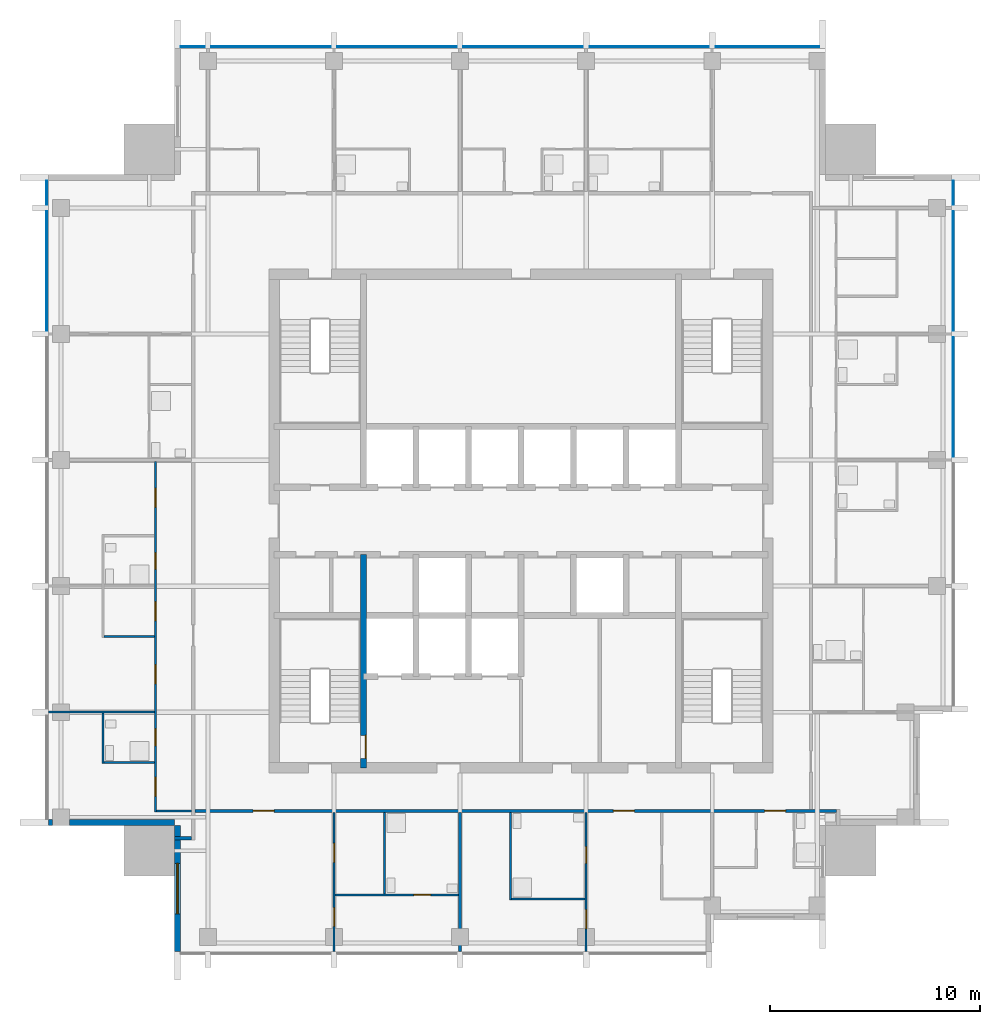
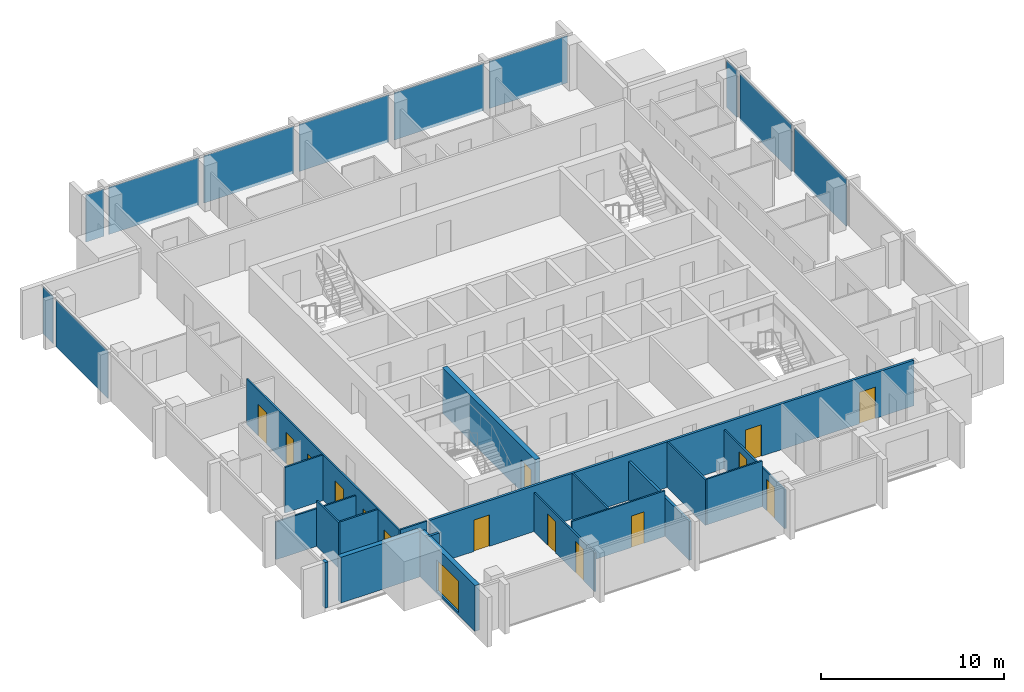
# One storey, part 3 of 9: 19 walls, 15 doors, 11 plates, 1 window, 16 openings, 3 elements without a shape of their own.
"""IFC4 building model written with IfcOpenShell, lengths in metres."""

from ifc_helpers import new_model, si_unit, direction, frame, frame_2d, origin, origin_2d, place, context, subcontext, project, spatial, rectangle, extrude, material, layer, layer_set, type_object, element, fill, aggregate, save


model = new_model("IFC4")

# Units and contexts
model_context = context("Model", 3, precision=1e-05, world=origin(), true_north=direction((0.0, 1.0)))
body_context = subcontext(model_context, "Body", "Model", "MODEL_VIEW")
ifc_project = project(units=[si_unit("LENGTHUNIT", "METRE"), si_unit("AREAUNIT", "SQUARE_METRE"), si_unit("VOLUMEUNIT", "CUBIC_METRE"), si_unit("PLANEANGLEUNIT", "RADIAN"), si_unit("MASSUNIT", "GRAM", prefix="KILO")], contexts=[model_context])

# Site, building, storey
site_placement = place(None, origin())
site = spatial("IfcSite", under=ifc_project, at=site_placement, CompositionType="ELEMENT")
building_placement = place(site_placement, origin())
building = spatial("IfcBuilding", under=site, at=building_placement, Name="Amberfall Residences", CompositionType="ELEMENT")
storey_placement = place(building_placement, frame((0.0, 0.0, 262.0)))
storey = spatial("IfcBuildingStorey", under=building, at=storey_placement, Name="L70", CompositionType="ELEMENT", Elevation=262.0)

# Curtain wall, plates
ifc_material_1 = material(Name="Bronze anodised aluminium and glass", Category="aluminium")
curtain_wall_type = type_object("IfcCurtainWallType", Name="Curtain wall CW1 tower unit", PredefinedType="USERDEFINED", material=ifc_material_1)
curtain_wall_1_placement = place(storey_placement, origin())
curtain_wall_1 = element("IfcCurtainWall", 1, at=curtain_wall_1_placement, inside=storey, type_object=curtain_wall_type, Name="Curtain wall L70 E E3", ObjectType="UNITISED CURTAIN WALL", PredefinedType="USERDEFINED")
ifc_material_2 = material(Name="Tinted double glazed unit", Category="glass")
ifc_layer_1 = layer(ifc_material_2, 0.035888671875)
ifc_layer_set_1 = layer_set([ifc_layer_1], Name="CW1 panel 36 glazing")
plate_type = type_object("IfcPlateType", Name="CW1 panel 36 glazing", PredefinedType="CURTAIN_PANEL", material=ifc_layer_set_1)
plate_1_placement = place(storey_placement, frame((95.074951171875, 51.39990234375, -0.25), z_axis=(0.0, 0.0, 1.0), x_axis=(0.0, 1.0, 0.0)))
plate_1 = element("IfcPlate", 2, at=plate_1_placement, type_object=plate_type, Name="CW1 panel 3.1", PredefinedType="CURTAIN_PANEL", context=body_context, shape_type="SweptSolid", body=[
    extrude(rectangle(XDim=5.676025390625, YDim=0.035888671875, at=origin_2d()), origin(), (0.0, 0.0, 1.0), 3.14990234375),
])
plate_2_placement = place(storey_placement, frame((95.074951171875, 57.39990234375, -0.25), z_axis=(0.0, 0.0, 1.0), x_axis=(0.0, 1.0, 0.0)))
plate_2 = element("IfcPlate", 3, at=plate_2_placement, type_object=plate_type, Name="CW1 panel 4.1", PredefinedType="CURTAIN_PANEL", context=body_context, shape_type="SweptSolid", body=[
    extrude(rectangle(XDim=5.676025390625, YDim=0.035888671875, at=origin_2d()), origin(), (0.0, 0.0, 1.0), 3.14990234375),
])
plate_3_placement = place(storey_placement, frame((95.074951171875, 61.125, -0.25), z_axis=(0.0, 0.0, 1.0), x_axis=(0.0, 1.0, 0.0)))
plate_3 = element("IfcPlate", 4, at=plate_3_placement, type_object=plate_type, Name="CW1 panel 5.1", PredefinedType="CURTAIN_PANEL", context=body_context, shape_type="SweptSolid", body=[
    extrude(rectangle(XDim=1.1259765625, YDim=0.035888671875, at=origin_2d()), origin(), (0.0, 0.0, 1.0), 3.14990234375),
])
aggregate(curtain_wall_1, [plate_1, plate_2, plate_3])

curtain_wall_2_placement = place(storey_placement, origin())
curtain_wall_2 = element("IfcCurtainWall", 5, at=curtain_wall_2_placement, inside=storey, type_object=curtain_wall_type, Name="Curtain wall L70 N N1", ObjectType="UNITISED CURTAIN WALL", PredefinedType="USERDEFINED")
plate_4_placement = place(storey_placement, frame((86.22509765625, 68.074951171875, -0.25), z_axis=(0.0, 0.0, 1.0), x_axis=(-1.0, 0.0, 0.0)))
plate_4 = element("IfcPlate", 6, at=plate_4_placement, type_object=plate_type, Name="CW1 panel 1.1", PredefinedType="CURTAIN_PANEL", context=body_context, shape_type="SweptSolid", body=[
    extrude(rectangle(XDim=4.926025390625, YDim=0.035888671875, at=origin_2d()), origin(), (0.0, 0.0, 1.0), 3.14990234375),
])
plate_5_placement = place(storey_placement, frame((80.60009765625, 68.074951171875, -0.25), z_axis=(0.0, 0.0, 1.0), x_axis=(-1.0, 0.0, 0.0)))
plate_5 = element("IfcPlate", 7, at=plate_5_placement, type_object=plate_type, Name="CW1 panel 2.1", PredefinedType="CURTAIN_PANEL", context=body_context, shape_type="SweptSolid", body=[
    extrude(rectangle(XDim=5.676025390625, YDim=0.035888671875, at=origin_2d()), origin(), (0.0, 0.0, 1.0), 3.14990234375),
])
plate_6_placement = place(storey_placement, frame((74.60009765625, 68.074951171875, -0.25), z_axis=(0.0, 0.0, 1.0), x_axis=(-1.0, 0.0, 0.0)))
plate_6 = element("IfcPlate", 8, at=plate_6_placement, type_object=plate_type, Name="CW1 panel 3.1", PredefinedType="CURTAIN_PANEL", context=body_context, shape_type="SweptSolid", body=[
    extrude(rectangle(XDim=5.676025390625, YDim=0.035888671875, at=origin_2d()), origin(), (0.0, 0.0, 1.0), 3.14990234375),
])
plate_7_placement = place(storey_placement, frame((68.60009765625, 68.074951171875, -0.25), z_axis=(0.0, 0.0, 1.0), x_axis=(-1.0, 0.0, 0.0)))
plate_7 = element("IfcPlate", 9, at=plate_7_placement, type_object=plate_type, Name="CW1 panel 4.1", PredefinedType="CURTAIN_PANEL", context=body_context, shape_type="SweptSolid", body=[
    extrude(rectangle(XDim=5.676025390625, YDim=0.035888671875, at=origin_2d()), origin(), (0.0, 0.0, 1.0), 3.14990234375),
])
plate_8_placement = place(storey_placement, frame((62.60009765625, 68.074951171875, -0.25), z_axis=(0.0, 0.0, 1.0), x_axis=(-1.0, 0.0, 0.0)))
plate_8 = element("IfcPlate", 10, at=plate_8_placement, type_object=plate_type, Name="CW1 panel 5.1", PredefinedType="CURTAIN_PANEL", context=body_context, shape_type="SweptSolid", body=[
    extrude(rectangle(XDim=5.676025390625, YDim=0.035888671875, at=origin_2d()), origin(), (0.0, 0.0, 1.0), 3.14990234375),
])
plate_9_placement = place(storey_placement, frame((58.875, 68.074951171875, -0.25), z_axis=(0.0, 0.0, 1.0), x_axis=(-1.0, 0.0, 0.0)))
plate_9 = element("IfcPlate", 11, at=plate_9_placement, type_object=plate_type, Name="CW1 panel 6.1", PredefinedType="CURTAIN_PANEL", context=body_context, shape_type="SweptSolid", body=[
    extrude(rectangle(XDim=1.1259765625, YDim=0.035888671875, at=origin_2d()), origin(), (0.0, 0.0, 1.0), 3.14990234375),
])
aggregate(curtain_wall_2, [plate_4, plate_5, plate_6, plate_7, plate_8, plate_9])

curtain_wall_3_placement = place(storey_placement, origin())
curtain_wall_3 = element("IfcCurtainWall", 12, at=curtain_wall_3_placement, inside=storey, type_object=curtain_wall_type, Name="Curtain wall L70 W W1", ObjectType="UNITISED CURTAIN WALL", PredefinedType="USERDEFINED")
plate_10_placement = place(storey_placement, frame((51.925048828125, 61.125, -0.25), z_axis=(0.0, 0.0, 1.0), x_axis=(0.0, -1.0, 0.0)))
plate_10 = element("IfcPlate", 13, at=plate_10_placement, type_object=plate_type, Name="CW1 panel 1.1", PredefinedType="CURTAIN_PANEL", context=body_context, shape_type="SweptSolid", body=[
    extrude(rectangle(XDim=1.1259765625, YDim=0.035888671875, at=origin_2d()), origin(), (0.0, 0.0, 1.0), 3.14990234375),
])
plate_11_placement = place(storey_placement, frame((51.925048828125, 57.39990234375, -0.25), z_axis=(0.0, 0.0, 1.0), x_axis=(0.0, -1.0, 0.0)))
plate_11 = element("IfcPlate", 14, at=plate_11_placement, type_object=plate_type, Name="CW1 panel 2.1", PredefinedType="CURTAIN_PANEL", context=body_context, shape_type="SweptSolid", body=[
    extrude(rectangle(XDim=5.676025390625, YDim=0.035888671875, at=origin_2d()), origin(), (0.0, 0.0, 1.0), 3.14990234375),
])
aggregate(curtain_wall_3, [plate_10, plate_11])

# Walls
ifc_material_3 = material(Name="Pale stone cladding on insulated backing", Category="masonry")
ifc_layer_2 = layer(ifc_material_3, 0.300048828125)
ifc_layer_set_2 = layer_set([ifc_layer_2], Name="Bronze clad wall 300")
wall_type_1 = type_object("IfcWallType", Name="Bronze clad wall 300", PredefinedType="SOLIDWALL", material=ifc_layer_set_2)
wall_1_placement = place(storey_placement, frame((52.0, 31.14990234375, 0.0), z_axis=(0.0, 0.0, 1.0), x_axis=(1.0, 0.0, 0.0)))
element("IfcWall", 15, at=wall_1_placement, inside=storey, type_object=wall_type_1, Name="External wall L70 SW", PredefinedType="SOLIDWALL", context=body_context, shape_type="SweptSolid", body=[
    extrude(rectangle(XDim=0.199951171875, YDim=0.300048828125, at=frame_2d((0.10009765625, 0.0))), origin(), (0.0, 0.0, 1.0), 3.050048828125),
])
wall_2_placement = place(storey_placement, frame((53.0, 31.14990234375, 0.0), z_axis=(0.0, 0.0, 1.0), x_axis=(1.0, 0.0, 0.0)))
element("IfcWall", 16, at=wall_2_placement, inside=storey, type_object=wall_type_1, Name="External wall L70 SW", PredefinedType="SOLIDWALL", context=body_context, shape_type="SweptSolid", body=[
    extrude(rectangle(XDim=5.0, YDim=0.300048828125, at=frame_2d((2.5, 0.0))), origin(), (0.0, 0.0, 1.0), 3.050048828125),
])

# Wall, opening, window
wall_3_placement = place(storey_placement, frame((58.14990234375, 31.0, 0.0), z_axis=(0.0, 0.0, 1.0), x_axis=(0.0, -1.0, 0.0)))
wall_3 = element("IfcWall", 17, at=wall_3_placement, inside=storey, type_object=wall_type_1, Name="External wall L70 SW", PredefinedType="SOLIDWALL", context=body_context, shape_type="SweptSolid", body=[
    extrude(rectangle(XDim=6.0, YDim=0.300048828125, at=frame_2d((3.0, 0.0))), origin(), (0.0, 0.0, 1.0), 3.050048828125),
])
opening_1_placement = place(wall_3_placement, frame((1.800048828125, 0.0, 0.14990234375)))
opening_1 = element("IfcOpeningElement", 18, at=opening_1_placement, cuts=wall_3, Name="Opening WN5", PredefinedType="OPENING", context=body_context, shape_type="SweptSolid", body=[
    extrude(rectangle(XDim=2.39990234375, YDim=2.10009765625, at=frame_2d((1.199951171875, 1.050048828125))), frame((0.0, 0.159912109375, 0.0), z_axis=(0.0, -1.0, 0.0), x_axis=(1.0, 0.0, 0.0)), (0.0, 0.0, 1.0), 0.320068359375),
])
ifc_material_4 = material(Name="Bronze aluminium framed glazing", Category="aluminium")
window_type = type_object("IfcWindowType", Name="Glazed opening 2400 x 2100 bronze", PartitioningType="DOUBLE_PANEL_VERTICAL", PredefinedType="WINDOW", material=ifc_material_4)
window_placement = place(opening_1_placement, origin())
window = element("IfcWindow", 19, at=window_placement, inside=storey, type_object=window_type, Name="Window L70 SW", OverallHeight=2.10009765625, OverallWidth=2.39990234375, PartitioningType="DOUBLE_PANEL_VERTICAL", PredefinedType="WINDOW", context=body_context, shape_type="SweptSolid", body=[
    extrude(rectangle(XDim=2.39990234375, YDim=2.10009765625, at=frame_2d((1.199951171875, 1.050048828125))), frame((0.0, 0.030029296875, 0.0), z_axis=(0.0, -1.0, 0.0), x_axis=(1.0, 0.0, 0.0)), (0.0, 0.0, 1.0), 0.06005859375),
])
fill(opening_1, window)

# Wall, opening, door
ifc_material_5 = material(Name="Concrete C50", Category="concrete")
ifc_layer_3 = layer(ifc_material_5, 0.300048828125)
ifc_layer_set_3 = layer_set([ifc_layer_3], Name="Core wall 300 C50")
wall_type_2 = type_object("IfcWallType", Name="Core wall 300 C50", PredefinedType="SHEAR", material=ifc_layer_set_3)
wall_4_placement = place(storey_placement, frame((67.0, 33.75, 0.0), z_axis=(0.0, 0.0, 1.0), x_axis=(0.0, 1.0, 0.0)))
wall_4 = element("IfcWall", 20, at=wall_4_placement, inside=storey, type_object=wall_type_2, Name="Core wall RW10 L70 V45S", PredefinedType="SHEAR", context=body_context, shape_type="SweptSolid", body=[
    extrude(rectangle(XDim=10.14990234375, YDim=0.300048828125, at=frame_2d((5.074951171875, 0.0))), origin(), (0.0, 0.0, 1.0), 3.050048828125),
])
opening_2_placement = place(wall_4_placement, frame((0.449951171875, 0.0, 0.0)))
opening_2 = element("IfcOpeningElement", 21, at=opening_2_placement, cuts=wall_4, Name="Opening FL1", PredefinedType="OPENING", context=body_context, shape_type="SweptSolid", body=[
    extrude(rectangle(XDim=1.10009765625, YDim=2.10009765625, at=frame_2d((0.550048828125, 1.050048828125))), frame((0.0, 0.159912109375, 0.0), z_axis=(0.0, -1.0, 0.0), x_axis=(1.0, 0.0, 0.0)), (0.0, 0.0, 1.0), 0.320068359375),
])
ifc_material_6 = material(Name="Steel fire door set", Category="steel")
door_type_1 = type_object("IfcDoorType", Name="Firefighting lobby door 1100 x 2100", OperationType="SINGLE_SWING_LEFT", PredefinedType="DOOR", material=ifc_material_6)
door_1_placement = place(opening_2_placement, origin())
door_1 = element("IfcDoor", 22, at=door_1_placement, inside=storey, type_object=door_type_1, Name="FL1 L70", OperationType="SINGLE_SWING_RIGHT", OverallHeight=2.10009765625, OverallWidth=1.10009765625, PredefinedType="DOOR", context=body_context, shape_type="SweptSolid", body=[
    extrude(rectangle(XDim=1.10009765625, YDim=2.10009765625, at=frame_2d((0.550048828125, 1.050048828125))), frame((0.0, -0.08740234375, 0.0), z_axis=(0.0, -1.0, 0.0), x_axis=(1.0, 0.0, 0.0)), (0.0, 0.0, 1.0), 0.050048828125),
])
fill(opening_2, door_1)

# Wall
ifc_material_7 = material(Name="Gypsum board on metal stud")
ifc_layer_4 = layer(ifc_material_7, 0.10009765625)
ifc_layer_set_4 = layer_set([ifc_layer_4], Name="Flat partition 100")
wall_type_3 = type_object("IfcWallType", Name="Flat partition 100", PredefinedType="PARTITIONING", material=ifc_layer_set_4)
wall_5_placement = place(storey_placement, frame((54.60009765625, 33.949951171875, 0.0), z_axis=(0.0, 0.0, 1.0), x_axis=(0.0, 1.0, 0.0)))
element("IfcWall", 23, at=wall_5_placement, inside=storey, type_object=wall_type_3, Name="Partition 001", PredefinedType="PARTITIONING", context=body_context, shape_type="SweptSolid", body=[
    extrude(rectangle(XDim=2.400146484375, YDim=0.10009765625, at=frame_2d((1.2001953125, 0.0))), origin(), (0.0, 0.0, 1.0), 3.050048828125),
])

# Wall, openings, doors
wall_6_placement = place(storey_placement, frame((57.10009765625, 31.64990234375, 0.0), z_axis=(0.0, 0.0, 1.0), x_axis=(0.0, 1.0, 0.0)))
wall_6 = element("IfcWall", 24, at=wall_6_placement, inside=storey, type_object=wall_type_3, Name="Partition 004", PredefinedType="PARTITIONING", context=body_context, shape_type="SweptSolid", body=[
    extrude(rectangle(XDim=16.675048828125, YDim=0.10009765625, at=frame_2d((8.33740234375, 0.0))), origin(), (0.0, 0.0, 1.0), 3.050048828125),
])
opening_3_placement = place(wall_6_placement, frame((6.10009765625, 0.0, 0.0)))
opening_3 = element("IfcOpeningElement", 25, at=opening_3_placement, cuts=wall_6, Name="Opening D41", PredefinedType="OPENING", context=body_context, shape_type="SweptSolid", body=[
    extrude(rectangle(XDim=0.89990234375, YDim=2.10009765625, at=frame_2d((0.449951171875, 1.050048828125))), frame((0.0, 0.06005859375, 0.0), z_axis=(0.0, -1.0, 0.0), x_axis=(1.0, 0.0, 0.0)), (0.0, 0.0, 1.0), 0.1201171875),
])
opening_4_placement = place(wall_6_placement, frame((9.10009765625, 0.0, 0.0)))
opening_4 = element("IfcOpeningElement", 26, at=opening_4_placement, cuts=wall_6, Name="Opening D41", PredefinedType="OPENING", context=body_context, shape_type="SweptSolid", body=[
    extrude(rectangle(XDim=0.89990234375, YDim=2.10009765625, at=frame_2d((0.449951171875, 1.050048828125))), frame((0.0, 0.06005859375, 0.0), z_axis=(0.0, -1.0, 0.0), x_axis=(1.0, 0.0, 0.0)), (0.0, 0.0, 1.0), 0.1201171875),
])
opening_5_placement = place(wall_6_placement, frame((0.75, 0.0, 0.0)))
opening_5 = element("IfcOpeningElement", 27, at=opening_5_placement, cuts=wall_6, Name="Opening D41", PredefinedType="OPENING", context=body_context, shape_type="SweptSolid", body=[
    extrude(rectangle(XDim=0.89990234375, YDim=2.10009765625, at=frame_2d((0.449951171875, 1.050048828125))), frame((0.0, 0.06005859375, 0.0), z_axis=(0.0, -1.0, 0.0), x_axis=(1.0, 0.0, 0.0)), (0.0, 0.0, 1.0), 0.1201171875),
])
opening_6_placement = place(wall_6_placement, frame((14.5, 0.0, 0.0)))
opening_6 = element("IfcOpeningElement", 28, at=opening_6_placement, cuts=wall_6, Name="Opening D41", PredefinedType="OPENING", context=body_context, shape_type="SweptSolid", body=[
    extrude(rectangle(XDim=0.89990234375, YDim=2.10009765625, at=frame_2d((0.449951171875, 1.050048828125))), frame((0.0, 0.06005859375, 0.0), z_axis=(0.0, -1.0, 0.0), x_axis=(1.0, 0.0, 0.0)), (0.0, 0.0, 1.0), 0.1201171875),
])
opening_7_placement = place(wall_6_placement, frame((3.14990234375, 0.0, 0.0)))
opening_7 = element("IfcOpeningElement", 29, at=opening_7_placement, cuts=wall_6, Name="Opening D42", PredefinedType="OPENING", context=body_context, shape_type="SweptSolid", body=[
    extrude(rectangle(XDim=0.800048828125, YDim=2.10009765625, at=frame_2d((0.39990234375, 1.050048828125))), frame((0.0, 0.06005859375, 0.0), z_axis=(0.0, -1.0, 0.0), x_axis=(1.0, 0.0, 0.0)), (0.0, 0.0, 1.0), 0.1201171875),
])
opening_8_placement = place(wall_6_placement, frame((11.550048828125, 0.0, 0.0)))
opening_8 = element("IfcOpeningElement", 30, at=opening_8_placement, cuts=wall_6, Name="Opening D42", PredefinedType="OPENING", context=body_context, shape_type="SweptSolid", body=[
    extrude(rectangle(XDim=0.800048828125, YDim=2.10009765625, at=frame_2d((0.39990234375, 1.050048828125))), frame((0.0, 0.06005859375, 0.0), z_axis=(0.0, -1.0, 0.0), x_axis=(1.0, 0.0, 0.0)), (0.0, 0.0, 1.0), 0.1201171875),
])
ifc_material_8 = material(Name="Timber", Category="wood")
door_type_2 = type_object("IfcDoorType", Name="Bathroom door 800 x 2100", OperationType="SINGLE_SWING_LEFT", PredefinedType="DOOR", material=ifc_material_8)
door_2_placement = place(opening_7_placement, origin())
door_2 = element("IfcDoor", 31, at=door_2_placement, inside=storey, type_object=door_type_2, Name="Door 7009 bath1", OperationType="SINGLE_SWING_LEFT", OverallHeight=2.10009765625, OverallWidth=0.800048828125, PredefinedType="DOOR", context=body_context, shape_type="SweptSolid", body=[
    extrude(rectangle(XDim=0.800048828125, YDim=2.10009765625, at=frame_2d((0.39990234375, 1.050048828125))), frame((0.0, 0.02490234375, 0.0), z_axis=(0.0, -1.0, 0.0), x_axis=(1.0, 0.0, 0.0)), (0.0, 0.0, 1.0), 0.050048828125),
])
fill(opening_7, door_2)
door_3_placement = place(opening_8_placement, origin())
door_3 = element("IfcDoor", 32, at=door_3_placement, inside=storey, type_object=door_type_2, Name="Door 7009 bath2", OperationType="SINGLE_SWING_LEFT", OverallHeight=2.10009765625, OverallWidth=0.800048828125, PredefinedType="DOOR", context=body_context, shape_type="SweptSolid", body=[
    extrude(rectangle(XDim=0.800048828125, YDim=2.10009765625, at=frame_2d((0.39990234375, 1.050048828125))), frame((0.0, 0.02490234375, 0.0), z_axis=(0.0, -1.0, 0.0), x_axis=(1.0, 0.0, 0.0)), (0.0, 0.0, 1.0), 0.050048828125),
])
fill(opening_8, door_3)
door_type_3 = type_object("IfcDoorType", Name="Internal door 900 x 2100", OperationType="SINGLE_SWING_LEFT", PredefinedType="DOOR", material=ifc_material_8)
door_4_placement = place(opening_3_placement, origin())
door_4 = element("IfcDoor", 33, at=door_4_placement, inside=storey, type_object=door_type_3, Name="Door 7009 living", OperationType="SINGLE_SWING_LEFT", OverallHeight=2.10009765625, OverallWidth=0.89990234375, PredefinedType="DOOR", context=body_context, shape_type="SweptSolid", body=[
    extrude(rectangle(XDim=0.89990234375, YDim=2.10009765625, at=frame_2d((0.449951171875, 1.050048828125))), frame((0.0, 0.02490234375, 0.0), z_axis=(0.0, -1.0, 0.0), x_axis=(1.0, 0.0, 0.0)), (0.0, 0.0, 1.0), 0.050048828125),
])
fill(opening_3, door_4)
door_5_placement = place(opening_4_placement, origin())
door_5 = element("IfcDoor", 34, at=door_5_placement, inside=storey, type_object=door_type_3, Name="Door 7009 kitchen", OperationType="SINGLE_SWING_LEFT", OverallHeight=2.10009765625, OverallWidth=0.89990234375, PredefinedType="DOOR", context=body_context, shape_type="SweptSolid", body=[
    extrude(rectangle(XDim=0.89990234375, YDim=2.10009765625, at=frame_2d((0.449951171875, 1.050048828125))), frame((0.0, 0.02490234375, 0.0), z_axis=(0.0, -1.0, 0.0), x_axis=(1.0, 0.0, 0.0)), (0.0, 0.0, 1.0), 0.050048828125),
])
fill(opening_4, door_5)
door_6_placement = place(opening_5_placement, origin())
door_6 = element("IfcDoor", 35, at=door_6_placement, inside=storey, type_object=door_type_3, Name="Door 7009 bedroom1", OperationType="SINGLE_SWING_LEFT", OverallHeight=2.10009765625, OverallWidth=0.89990234375, PredefinedType="DOOR", context=body_context, shape_type="SweptSolid", body=[
    extrude(rectangle(XDim=0.89990234375, YDim=2.10009765625, at=frame_2d((0.449951171875, 1.050048828125))), frame((0.0, 0.02490234375, 0.0), z_axis=(0.0, -1.0, 0.0), x_axis=(1.0, 0.0, 0.0)), (0.0, 0.0, 1.0), 0.050048828125),
])
fill(opening_5, door_6)
door_7_placement = place(opening_6_placement, origin())
door_7 = element("IfcDoor", 36, at=door_7_placement, inside=storey, type_object=door_type_3, Name="Door 7009 bedroom2", OperationType="SINGLE_SWING_LEFT", OverallHeight=2.10009765625, OverallWidth=0.89990234375, PredefinedType="DOOR", context=body_context, shape_type="SweptSolid", body=[
    extrude(rectangle(XDim=0.89990234375, YDim=2.10009765625, at=frame_2d((0.449951171875, 1.050048828125))), frame((0.0, 0.02490234375, 0.0), z_axis=(0.0, -1.0, 0.0), x_axis=(1.0, 0.0, 0.0)), (0.0, 0.0, 1.0), 0.050048828125),
])
fill(opening_6, door_7)

wall_7_placement = place(storey_placement, frame((65.60009765625, 31.625, 0.0), z_axis=(0.0, 0.0, 1.0), x_axis=(0.0, -1.0, 0.0)))
wall_7 = element("IfcWall", 37, at=wall_7_placement, inside=storey, type_object=wall_type_3, Name="Partition 006", PredefinedType="PARTITIONING", context=body_context, shape_type="SweptSolid", body=[
    extrude(rectangle(XDim=6.625, YDim=0.10009765625, at=frame_2d((3.3125, 0.0))), origin(), (0.0, 0.0, 1.0), 2.590087890625),
])
opening_9_placement = place(wall_7_placement, frame((1.47509765625, 0.0, 0.0)))
opening_9 = element("IfcOpeningElement", 38, at=opening_9_placement, cuts=wall_7, Name="Opening D41", PredefinedType="OPENING", context=body_context, shape_type="SweptSolid", body=[
    extrude(rectangle(XDim=0.89990234375, YDim=2.10009765625, at=frame_2d((0.449951171875, 1.050048828125))), frame((0.0, 0.06005859375, 0.0), z_axis=(0.0, -1.0, 0.0), x_axis=(1.0, 0.0, 0.0)), (0.0, 0.0, 1.0), 0.1201171875),
])
opening_10_placement = place(wall_7_placement, frame((4.52490234375, 0.0, 0.0)))
opening_10 = element("IfcOpeningElement", 39, at=opening_10_placement, cuts=wall_7, Name="Opening D41", PredefinedType="OPENING", context=body_context, shape_type="SweptSolid", body=[
    extrude(rectangle(XDim=0.89990234375, YDim=2.10009765625, at=frame_2d((0.449951171875, 1.050048828125))), frame((0.0, 0.06005859375, 0.0), z_axis=(0.0, -1.0, 0.0), x_axis=(1.0, 0.0, 0.0)), (0.0, 0.0, 1.0), 0.1201171875),
])
door_8_placement = place(opening_9_placement, origin())
door_8 = element("IfcDoor", 40, at=door_8_placement, inside=storey, type_object=door_type_3, Name="Door 7001 kitchen", OperationType="SINGLE_SWING_LEFT", OverallHeight=2.10009765625, OverallWidth=0.89990234375, PredefinedType="DOOR", context=body_context, shape_type="SweptSolid", body=[
    extrude(rectangle(XDim=0.89990234375, YDim=2.10009765625, at=frame_2d((0.449951171875, 1.050048828125))), frame((0.0, 0.02490234375, 0.0), z_axis=(0.0, -1.0, 0.0), x_axis=(1.0, 0.0, 0.0)), (0.0, 0.0, 1.0), 0.050048828125),
])
fill(opening_9, door_8)
door_9_placement = place(opening_10_placement, origin())
door_9 = element("IfcDoor", 41, at=door_9_placement, inside=storey, type_object=door_type_3, Name="Door 7001 bedroom1", OperationType="SINGLE_SWING_LEFT", OverallHeight=2.10009765625, OverallWidth=0.89990234375, PredefinedType="DOOR", context=body_context, shape_type="SweptSolid", body=[
    extrude(rectangle(XDim=0.89990234375, YDim=2.10009765625, at=frame_2d((0.449951171875, 1.050048828125))), frame((0.0, 0.02490234375, 0.0), z_axis=(0.0, -1.0, 0.0), x_axis=(1.0, 0.0, 0.0)), (0.0, 0.0, 1.0), 0.050048828125),
])
fill(opening_10, door_9)

# Walls
wall_8_placement = place(storey_placement, frame((68.0, 27.75, 0.0), z_axis=(0.0, 0.0, 1.0), x_axis=(0.0, 1.0, 0.0)))
element("IfcWall", 42, at=wall_8_placement, inside=storey, type_object=wall_type_3, Name="Partition 008", PredefinedType="PARTITIONING", context=body_context, shape_type="SweptSolid", body=[
    extrude(rectangle(XDim=3.875, YDim=0.10009765625, at=frame_2d((1.9375, 0.0))), origin(), (0.0, 0.0, 1.0), 3.050048828125),
])
wall_9_placement = place(storey_placement, frame((74.0, 27.449951171875, 0.0), z_axis=(0.0, 0.0, 1.0), x_axis=(0.0, 1.0, 0.0)))
element("IfcWall", 43, at=wall_9_placement, inside=storey, type_object=wall_type_3, Name="Partition 011", PredefinedType="PARTITIONING", context=body_context, shape_type="SweptSolid", body=[
    extrude(rectangle(XDim=4.175048828125, YDim=0.10009765625, at=frame_2d((2.08740234375, 0.0))), origin(), (0.0, 0.0, 1.0), 3.050048828125),
])

# Wall, openings, doors
wall_10_placement = place(storey_placement, frame((77.60009765625, 25.0, 0.0), z_axis=(0.0, 0.0, 1.0), x_axis=(0.0, 1.0, 0.0)))
wall_10 = element("IfcWall", 44, at=wall_10_placement, inside=storey, type_object=wall_type_3, Name="Partition 013", PredefinedType="PARTITIONING", context=body_context, shape_type="SweptSolid", body=[
    extrude(rectangle(XDim=6.625, YDim=0.10009765625, at=frame_2d((3.3125, 0.0))), origin(), (0.0, 0.0, 1.0), 2.590087890625),
])
opening_11_placement = place(wall_10_placement, frame((1.10009765625, 0.0, 0.0)))
opening_11 = element("IfcOpeningElement", 45, at=opening_11_placement, cuts=wall_10, Name="Opening D41", PredefinedType="OPENING", context=body_context, shape_type="SweptSolid", body=[
    extrude(rectangle(XDim=0.89990234375, YDim=2.10009765625, at=frame_2d((0.449951171875, 1.050048828125))), frame((0.0, 0.06005859375, 0.0), z_axis=(0.0, -1.0, 0.0), x_axis=(1.0, 0.0, 0.0)), (0.0, 0.0, 1.0), 0.1201171875),
])
opening_12_placement = place(wall_10_placement, frame((4.199951171875, 0.0, 0.0)))
opening_12 = element("IfcOpeningElement", 46, at=opening_12_placement, cuts=wall_10, Name="Opening D42", PredefinedType="OPENING", context=body_context, shape_type="SweptSolid", body=[
    extrude(rectangle(XDim=0.800048828125, YDim=2.10009765625, at=frame_2d((0.39990234375, 1.050048828125))), frame((0.0, 0.06005859375, 0.0), z_axis=(0.0, -1.0, 0.0), x_axis=(1.0, 0.0, 0.0)), (0.0, 0.0, 1.0), 0.1201171875),
])
door_10_placement = place(opening_12_placement, origin())
door_10 = element("IfcDoor", 47, at=door_10_placement, inside=storey, type_object=door_type_2, Name="Door 7002 bath1", OperationType="SINGLE_SWING_LEFT", OverallHeight=2.10009765625, OverallWidth=0.800048828125, PredefinedType="DOOR", context=body_context, shape_type="SweptSolid", body=[
    extrude(rectangle(XDim=0.800048828125, YDim=2.10009765625, at=frame_2d((0.39990234375, 1.050048828125))), frame((0.0, 0.02490234375, 0.0), z_axis=(0.0, -1.0, 0.0), x_axis=(1.0, 0.0, 0.0)), (0.0, 0.0, 1.0), 0.050048828125),
])
fill(opening_12, door_10)
door_11_placement = place(opening_11_placement, origin())
door_11 = element("IfcDoor", 48, at=door_11_placement, inside=storey, type_object=door_type_3, Name="Door 7002 bedroom1", OperationType="SINGLE_SWING_LEFT", OverallHeight=2.10009765625, OverallWidth=0.89990234375, PredefinedType="DOOR", context=body_context, shape_type="SweptSolid", body=[
    extrude(rectangle(XDim=0.89990234375, YDim=2.10009765625, at=frame_2d((0.449951171875, 1.050048828125))), frame((0.0, 0.02490234375, 0.0), z_axis=(0.0, -1.0, 0.0), x_axis=(1.0, 0.0, 0.0)), (0.0, 0.0, 1.0), 0.050048828125),
])
fill(opening_11, door_11)

# Walls
wall_11_placement = place(storey_placement, frame((54.64990234375, 40.0, 0.0), z_axis=(0.0, 0.0, 1.0), x_axis=(1.0, 0.0, 0.0)))
element("IfcWall", 49, at=wall_11_placement, inside=storey, type_object=wall_type_3, Name="Partition 038", PredefinedType="PARTITIONING", context=body_context, shape_type="SweptSolid", body=[
    extrude(rectangle(XDim=2.400146484375, YDim=0.10009765625, at=frame_2d((1.2001953125, 0.0))), origin(), (0.0, 0.0, 1.0), 3.050048828125),
])
wall_12_placement = place(storey_placement, frame((52.0, 36.39990234375, 0.0), z_axis=(0.0, 0.0, 1.0), x_axis=(1.0, 0.0, 0.0)))
element("IfcWall", 50, at=wall_12_placement, inside=storey, type_object=wall_type_3, Name="Partition 040", PredefinedType="PARTITIONING", context=body_context, shape_type="SweptSolid", body=[
    extrude(rectangle(XDim=5.050048828125, YDim=0.10009765625, at=frame_2d((2.52490234375, 0.0))), origin(), (0.0, 0.0, 1.0), 2.51611328125),
])
wall_13_placement = place(storey_placement, frame((54.64990234375, 34.0, 0.0), z_axis=(0.0, 0.0, 1.0), x_axis=(1.0, 0.0, 0.0)))
element("IfcWall", 51, at=wall_13_placement, inside=storey, type_object=wall_type_3, Name="Partition 042", PredefinedType="PARTITIONING", context=body_context, shape_type="SweptSolid", body=[
    extrude(rectangle(XDim=2.400146484375, YDim=0.10009765625, at=frame_2d((1.2001953125, 0.0))), origin(), (0.0, 0.0, 1.0), 3.050048828125),
])
wall_14_placement = place(storey_placement, frame((57.14990234375, 31.699951171875, 0.0), z_axis=(0.0, 0.0, 1.0), x_axis=(1.0, 0.0, 0.0)))
element("IfcWall", 52, at=wall_14_placement, inside=storey, type_object=wall_type_3, Name="Partition 043", PredefinedType="PARTITIONING", context=body_context, shape_type="SweptSolid", body=[
    extrude(rectangle(XDim=1.675048828125, YDim=0.10009765625, at=frame_2d((0.83740234375, 0.0))), origin(), (0.0, 0.0, 1.0), 3.050048828125),
])

# Wall, opening, door
wall_15_placement = place(storey_placement, frame((65.64990234375, 27.699951171875, 0.0), z_axis=(0.0, 0.0, 1.0), x_axis=(1.0, 0.0, 0.0)))
wall_15 = element("IfcWall", 53, at=wall_15_placement, inside=storey, type_object=wall_type_3, Name="Partition 046", PredefinedType="PARTITIONING", context=body_context, shape_type="SweptSolid", body=[
    extrude(rectangle(XDim=5.875, YDim=0.10009765625, at=frame_2d((2.9375, 0.0))), origin(), (0.0, 0.0, 1.0), 3.050048828125),
])
opening_13_placement = place(wall_15_placement, frame((3.75, 0.0, 0.0)))
opening_13 = element("IfcOpeningElement", 54, at=opening_13_placement, cuts=wall_15, Name="Opening D42", PredefinedType="OPENING", context=body_context, shape_type="SweptSolid", body=[
    extrude(rectangle(XDim=0.800048828125, YDim=2.10009765625, at=frame_2d((0.39990234375, 1.050048828125))), frame((0.0, 0.06005859375, 0.0), z_axis=(0.0, -1.0, 0.0), x_axis=(1.0, 0.0, 0.0)), (0.0, 0.0, 1.0), 0.1201171875),
])
door_12_placement = place(opening_13_placement, origin())
door_12 = element("IfcDoor", 55, at=door_12_placement, inside=storey, type_object=door_type_2, Name="Door 7001 bath1", OperationType="SINGLE_SWING_LEFT", OverallHeight=2.10009765625, OverallWidth=0.800048828125, PredefinedType="DOOR", context=body_context, shape_type="SweptSolid", body=[
    extrude(rectangle(XDim=0.800048828125, YDim=2.10009765625, at=frame_2d((0.39990234375, 1.050048828125))), frame((0.0, 0.02490234375, 0.0), z_axis=(0.0, -1.0, 0.0), x_axis=(1.0, 0.0, 0.0)), (0.0, 0.0, 1.0), 0.050048828125),
])
fill(opening_13, door_12)

# Walls
wall_16_placement = place(storey_placement, frame((74.050048828125, 27.5, 0.0), z_axis=(0.0, 0.0, 1.0), x_axis=(1.0, 0.0, 0.0)))
element("IfcWall", 56, at=wall_16_placement, inside=storey, type_object=wall_type_3, Name="Partition 047", PredefinedType="PARTITIONING", context=body_context, shape_type="SweptSolid", body=[
    extrude(rectangle(XDim=3.5, YDim=0.10009765625, at=frame_2d((1.75, 0.0))), origin(), (0.0, 0.0, 1.0), 3.050048828125),
])
ifc_material_9 = material(Name="Blockwork, plastered", Category="masonry")
ifc_layer_5 = layer(ifc_material_9, 0.14990234375)
ifc_layer_set_5 = layer_set([ifc_layer_5], Name="Flat separating wall 150")
wall_type_4 = type_object("IfcWallType", Name="Flat separating wall 150", PredefinedType="PARTITIONING", material=ifc_layer_set_5)
wall_17_placement = place(storey_placement, frame((71.60009765625, 25.0, 0.0), z_axis=(0.0, 0.0, 1.0), x_axis=(0.0, 1.0, 0.0)))
element("IfcWall", 57, at=wall_17_placement, inside=storey, type_object=wall_type_4, Name="Separating wall 051", PredefinedType="PARTITIONING", context=body_context, shape_type="SweptSolid", body=[
    extrude(rectangle(XDim=6.625, YDim=0.14990234375, at=frame_2d((3.3125, 0.0))), origin(), (0.0, 0.0, 1.0), 2.590087890625),
])

# Wall, openings, doors
wall_18_placement = place(storey_placement, frame((89.52490234375, 31.699951171875, 0.0), z_axis=(0.0, 0.0, 1.0), x_axis=(-1.0, 0.0, 0.0)))
wall_18 = element("IfcWall", 58, at=wall_18_placement, inside=storey, type_object=wall_type_4, Name="Separating wall 061", PredefinedType="PARTITIONING", context=body_context, shape_type="SweptSolid", body=[
    extrude(rectangle(XDim=30.5498046875, YDim=0.14990234375, at=frame_2d((15.27490234375, 0.0))), origin(), (0.0, 0.0, 1.0), 3.050048828125),
])
opening_14_placement = place(wall_18_placement, frame((26.77490234375, 0.0, 0.0)))
opening_14 = element("IfcOpeningElement", 59, at=opening_14_placement, cuts=wall_18, Name="Opening D40", PredefinedType="OPENING", context=body_context, shape_type="SweptSolid", body=[
    extrude(rectangle(XDim=1.0, YDim=2.10009765625, at=frame_2d((0.5, 1.050048828125))), frame((0.0, 0.0849609375, 0.0), z_axis=(0.0, -1.0, 0.0), x_axis=(1.0, 0.0, 0.0)), (0.0, 0.0, 1.0), 0.169921875),
])
opening_15_placement = place(wall_18_placement, frame((9.625, 0.0, 0.0)))
opening_15 = element("IfcOpeningElement", 60, at=opening_15_placement, cuts=wall_18, Name="Opening D40", PredefinedType="OPENING", context=body_context, shape_type="SweptSolid", body=[
    extrude(rectangle(XDim=1.0, YDim=2.10009765625, at=frame_2d((0.5, 1.050048828125))), frame((0.0, 0.0849609375, 0.0), z_axis=(0.0, -1.0, 0.0), x_axis=(1.0, 0.0, 0.0)), (0.0, 0.0, 1.0), 0.169921875),
])
opening_16_placement = place(wall_18_placement, frame((2.425048828125, 0.0, 0.0)))
opening_16 = element("IfcOpeningElement", 61, at=opening_16_placement, cuts=wall_18, Name="Opening D40", PredefinedType="OPENING", context=body_context, shape_type="SweptSolid", body=[
    extrude(rectangle(XDim=1.0, YDim=2.10009765625, at=frame_2d((0.5, 1.050048828125))), frame((0.0, 0.0849609375, 0.0), z_axis=(0.0, -1.0, 0.0), x_axis=(1.0, 0.0, 0.0)), (0.0, 0.0, 1.0), 0.169921875),
])
ifc_material_10 = material(Name="Timber, fire-rated", Category="wood")
door_type_4 = type_object("IfcDoorType", Name="Flat entrance door FD60 1000 x 2100", OperationType="SINGLE_SWING_LEFT", PredefinedType="DOOR", material=ifc_material_10)
door_13_placement = place(opening_14_placement, origin())
door_13 = element("IfcDoor", 62, at=door_13_placement, inside=storey, type_object=door_type_4, Name="Door 7001 entrance", OperationType="SINGLE_SWING_LEFT", OverallHeight=2.10009765625, OverallWidth=1.0, PredefinedType="DOOR", context=body_context, shape_type="SweptSolid", body=[
    extrude(rectangle(XDim=1.0, YDim=2.10009765625, at=frame_2d((0.5, 1.050048828125))), frame((0.0, 0.02490234375, 0.0), z_axis=(0.0, -1.0, 0.0), x_axis=(1.0, 0.0, 0.0)), (0.0, 0.0, 1.0), 0.050048828125),
])
fill(opening_14, door_13)
door_14_placement = place(opening_15_placement, origin())
door_14 = element("IfcDoor", 63, at=door_14_placement, inside=storey, type_object=door_type_4, Name="Door 7002 entrance", OperationType="SINGLE_SWING_LEFT", OverallHeight=2.10009765625, OverallWidth=1.0, PredefinedType="DOOR", context=body_context, shape_type="SweptSolid", body=[
    extrude(rectangle(XDim=1.0, YDim=2.10009765625, at=frame_2d((0.5, 1.050048828125))), frame((0.0, 0.02490234375, 0.0), z_axis=(0.0, -1.0, 0.0), x_axis=(1.0, 0.0, 0.0)), (0.0, 0.0, 1.0), 0.050048828125),
])
fill(opening_15, door_14)
door_15_placement = place(opening_16_placement, origin())
door_15 = element("IfcDoor", 64, at=door_15_placement, inside=storey, type_object=door_type_4, Name="Door 7003 entrance", OperationType="SINGLE_SWING_LEFT", OverallHeight=2.10009765625, OverallWidth=1.0, PredefinedType="DOOR", context=body_context, shape_type="SweptSolid", body=[
    extrude(rectangle(XDim=1.0, YDim=2.10009765625, at=frame_2d((0.5, 1.050048828125))), frame((0.0, 0.02490234375, 0.0), z_axis=(0.0, -1.0, 0.0), x_axis=(1.0, 0.0, 0.0)), (0.0, 0.0, 1.0), 0.050048828125),
])
fill(opening_16, door_15)

# Wall
wall_19_placement = place(storey_placement, frame((58.0, 30.39990234375, 0.0), z_axis=(0.0, 0.0, 1.0), x_axis=(1.0, 0.0, 0.0)))
element("IfcWall", 65, at=wall_19_placement, inside=storey, type_object=wall_type_4, Name="Separating wall 062", PredefinedType="PARTITIONING", context=body_context, shape_type="SweptSolid", body=[
    extrude(rectangle(XDim=0.824951171875, YDim=0.14990234375, at=frame_2d((0.41259765625, 0.0))), origin(), (0.0, 0.0, 1.0), 3.050048828125),
])

save(model, "model.ifc")
